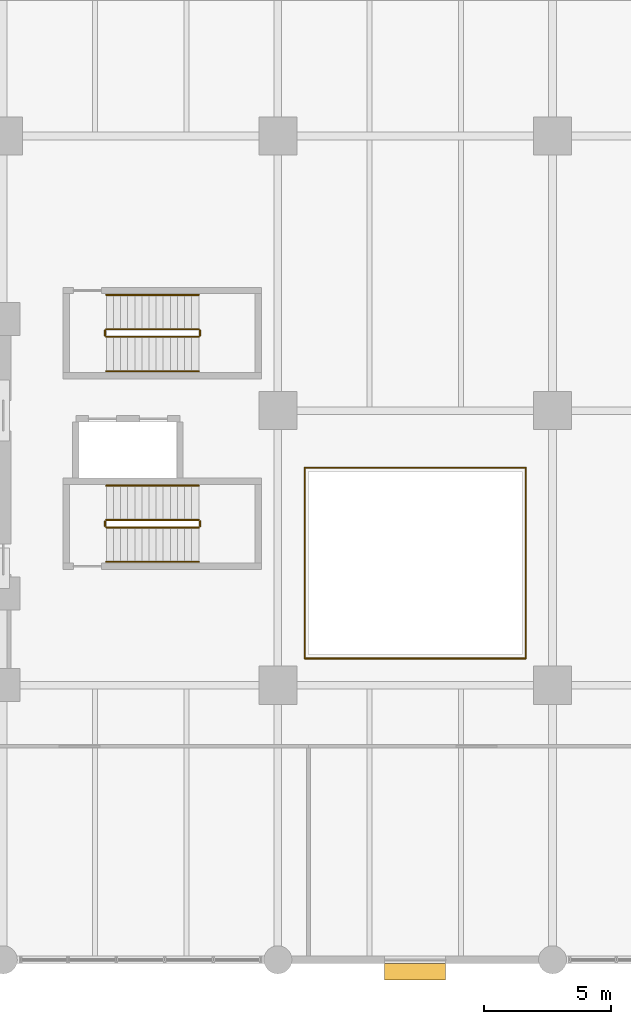
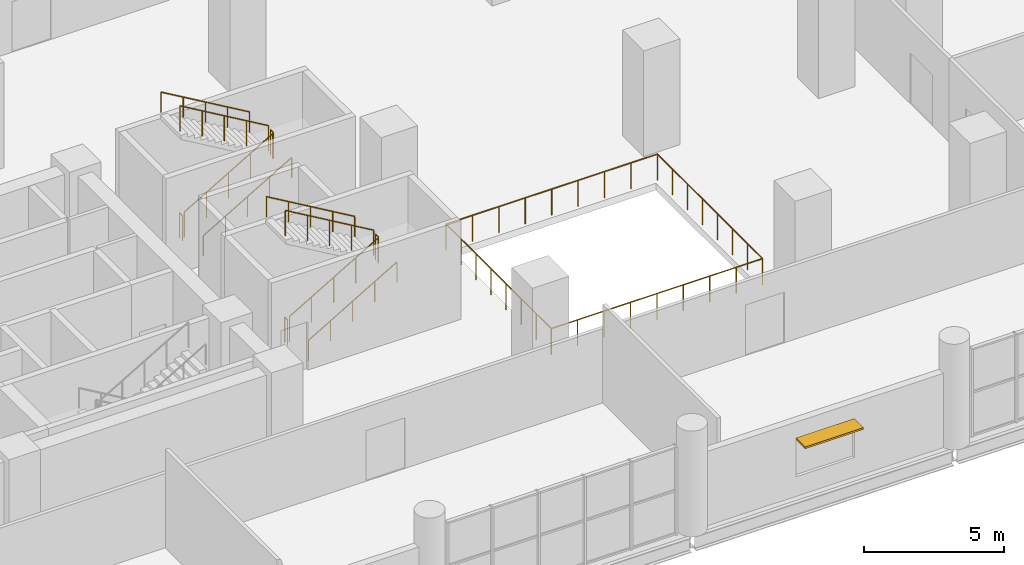
# One storey, part 15 of 16: 16 railings, 1 shading device.
"""IFC4 building model written with IfcOpenShell, lengths in metres."""

from ifc_helpers import new_model, si_unit, direction, frame, origin, origin_2d, place, context, subcontext, project, spatial, rectangle, circle, extrude, material, layer, layer_set, type_object, element, save


model = new_model("IFC4")

# Units and contexts
model_context = context("Model", 3, precision=1e-05, world=origin(), true_north=direction((0.0, 1.0)))
body_context = subcontext(model_context, "Body", "Model", "MODEL_VIEW")
ifc_project = project(units=[si_unit("LENGTHUNIT", "METRE"), si_unit("AREAUNIT", "SQUARE_METRE"), si_unit("VOLUMEUNIT", "CUBIC_METRE"), si_unit("PLANEANGLEUNIT", "RADIAN"), si_unit("MASSUNIT", "GRAM", prefix="KILO")], contexts=[model_context])

# Site, building, storey
site_placement = place(None, origin())
site = spatial("IfcSite", under=ifc_project, at=site_placement, CompositionType="ELEMENT")
building_placement = place(site_placement, origin())
building = spatial("IfcBuilding", under=site, at=building_placement, Name="Solnavia Interchange Tower", CompositionType="ELEMENT")
storey_placement = place(building_placement, frame((0.0, 0.0, 10.199951171875)))
storey = spatial("IfcBuildingStorey", under=building, at=storey_placement, Name="L02", CompositionType="ELEMENT", Elevation=10.199951171875)

# Railings
ifc_material_1 = material(Name="Painted Steel Balustrade", Category="steel")
railing_type_1 = type_object("IfcRailingType", Name="Railing-StairGuard-1100", PredefinedType="GUARDRAIL", material=ifc_material_1)
railing_1_placement = place(storey_placement, frame((36.449951171875, 17.0, 0.164306640625)))
element("IfcRailing", 1, at=railing_1_placement, inside=storey, type_object=railing_type_1, Name="L02 ST-P1 stair guard 1", PredefinedType="GUARDRAIL", context=body_context, shape_type="SweptSolid", body=[
    extrude(circle(Radius=0.02392578125, at=origin_2d()), frame((0.0, 0.0, 1.09619140625), z_axis=(0.862504707072, 0.0, 0.506049039401), x_axis=(0.0, 1.0, 0.0)), (0.0, 0.0, 1.0), 4.220458984375),
    extrude(circle(Radius=0.02099609375, at=origin_2d()), origin(), (0.0, 0.0, 1.0), 1.072021484375),
    extrude(circle(Radius=0.02099609375, at=origin_2d()), frame((0.91015625, 0.0, 0.533935546875)), (0.0, 0.0, 1.0), 1.072021484375),
    extrude(circle(Radius=0.02099609375, at=origin_2d()), frame((1.820068359375, 0.0, 1.06787109375)), (0.0, 0.0, 1.0), 1.072021484375),
    extrude(circle(Radius=0.02099609375, at=origin_2d()), frame((2.72998046875, 0.0, 1.601806640625)), (0.0, 0.0, 1.0), 1.072021484375),
    extrude(circle(Radius=0.02099609375, at=origin_2d()), frame((3.64013671875, 0.0, 2.1357421875)), (0.0, 0.0, 1.0), 1.072021484375),
])
railing_2_placement = place(storey_placement, frame((40.139892578125, 17.050048828125, 2.300048828125)))
element("IfcRailing", 2, at=railing_2_placement, inside=storey, type_object=railing_type_1, Name="L02 ST-P1 stair guard 2", PredefinedType="GUARDRAIL", context=body_context, shape_type="SweptSolid", body=[
    extrude(circle(Radius=0.02392578125, at=origin_2d()), frame((0.0, 0.0, 1.09619140625), z_axis=(0.0, 1.0, 0.0), x_axis=(-1.0, 0.0, 0.0)), (0.0, 0.0, 1.0), 0.199951171875),
    extrude(circle(Radius=0.02099609375, at=origin_2d()), origin(), (0.0, 0.0, 1.0), 1.072021484375),
    extrude(circle(Radius=0.02099609375, at=origin_2d()), frame((0.0, 0.199951171875, 0.0)), (0.0, 0.0, 1.0), 1.072021484375),
])
railing_3_placement = place(storey_placement, frame((40.090087890625, 17.300048828125, 2.46435546875)))
element("IfcRailing", 3, at=railing_3_placement, inside=storey, type_object=railing_type_1, Name="L02 ST-P1 stair guard 3", PredefinedType="GUARDRAIL", context=body_context, shape_type="SweptSolid", body=[
    extrude(circle(Radius=0.02392578125, at=origin_2d()), frame((0.0, 0.0, 1.09619140625), z_axis=(-0.862504707072, 0.0, 0.506049039401), x_axis=(0.0, -1.0, 0.0)), (0.0, 0.0, 1.0), 4.220458984375),
    extrude(circle(Radius=0.02099609375, at=origin_2d()), origin(), (0.0, 0.0, 1.0), 1.072021484375),
    extrude(circle(Radius=0.02099609375, at=origin_2d()), frame((-0.91015625, 0.0, 0.533935546875)), (0.0, 0.0, 1.0), 1.072021484375),
    extrude(circle(Radius=0.02099609375, at=origin_2d()), frame((-1.820068359375, 0.0, 1.06787109375)), (0.0, 0.0, 1.0), 1.072021484375),
    extrude(circle(Radius=0.02099609375, at=origin_2d()), frame((-2.72998046875, 0.0, 1.601806640625)), (0.0, 0.0, 1.0), 1.072021484375),
    extrude(circle(Radius=0.02099609375, at=origin_2d()), frame((-3.64013671875, 0.0, 2.1357421875)), (0.0, 0.0, 1.0), 1.072021484375),
])
railing_4_placement = place(storey_placement, frame((36.39990234375, 17.050048828125, 0.0)))
element("IfcRailing", 4, at=railing_4_placement, inside=storey, type_object=railing_type_1, Name="L02 ST-P1 stair guard 4", PredefinedType="GUARDRAIL", context=body_context, shape_type="SweptSolid", body=[
    extrude(circle(Radius=0.02392578125, at=origin_2d()), frame((0.0, 0.0, 1.09619140625), z_axis=(0.0, 1.0, 0.0), x_axis=(-1.0, 0.0, 0.0)), (0.0, 0.0, 1.0), 0.199951171875),
    extrude(circle(Radius=0.02099609375, at=origin_2d()), origin(), (0.0, 0.0, 1.0), 1.072021484375),
    extrude(circle(Radius=0.02099609375, at=origin_2d()), frame((0.0, 0.199951171875, 0.0)), (0.0, 0.0, 1.0), 1.072021484375),
])
railing_5_placement = place(storey_placement, frame((36.449951171875, 24.5, 0.164306640625)))
element("IfcRailing", 5, at=railing_5_placement, inside=storey, type_object=railing_type_1, Name="L02 ST-P2 stair guard 1", PredefinedType="GUARDRAIL", context=body_context, shape_type="SweptSolid", body=[
    extrude(circle(Radius=0.02392578125, at=origin_2d()), frame((0.0, 0.0, 1.09619140625), z_axis=(0.862504707072, 0.0, 0.506049039401), x_axis=(0.0, 1.0, 0.0)), (0.0, 0.0, 1.0), 4.220458984375),
    extrude(circle(Radius=0.02099609375, at=origin_2d()), origin(), (0.0, 0.0, 1.0), 1.072021484375),
    extrude(circle(Radius=0.02099609375, at=origin_2d()), frame((0.91015625, 0.0, 0.533935546875)), (0.0, 0.0, 1.0), 1.072021484375),
    extrude(circle(Radius=0.02099609375, at=origin_2d()), frame((1.820068359375, 0.0, 1.06787109375)), (0.0, 0.0, 1.0), 1.072021484375),
    extrude(circle(Radius=0.02099609375, at=origin_2d()), frame((2.72998046875, 0.0, 1.601806640625)), (0.0, 0.0, 1.0), 1.072021484375),
    extrude(circle(Radius=0.02099609375, at=origin_2d()), frame((3.64013671875, 0.0, 2.1357421875)), (0.0, 0.0, 1.0), 1.072021484375),
])
railing_6_placement = place(storey_placement, frame((40.139892578125, 24.550048828125, 2.300048828125)))
element("IfcRailing", 6, at=railing_6_placement, inside=storey, type_object=railing_type_1, Name="L02 ST-P2 stair guard 2", PredefinedType="GUARDRAIL", context=body_context, shape_type="SweptSolid", body=[
    extrude(circle(Radius=0.02392578125, at=origin_2d()), frame((0.0, 0.0, 1.09619140625), z_axis=(0.0, 1.0, 0.0), x_axis=(-1.0, 0.0, 0.0)), (0.0, 0.0, 1.0), 0.199951171875),
    extrude(circle(Radius=0.02099609375, at=origin_2d()), origin(), (0.0, 0.0, 1.0), 1.072021484375),
    extrude(circle(Radius=0.02099609375, at=origin_2d()), frame((0.0, 0.199951171875, 0.0)), (0.0, 0.0, 1.0), 1.072021484375),
])
railing_7_placement = place(storey_placement, frame((40.090087890625, 24.800048828125, 2.46435546875)))
element("IfcRailing", 7, at=railing_7_placement, inside=storey, type_object=railing_type_1, Name="L02 ST-P2 stair guard 3", PredefinedType="GUARDRAIL", context=body_context, shape_type="SweptSolid", body=[
    extrude(circle(Radius=0.02392578125, at=origin_2d()), frame((0.0, 0.0, 1.09619140625), z_axis=(-0.862504707072, 0.0, 0.506049039401), x_axis=(0.0, -1.0, 0.0)), (0.0, 0.0, 1.0), 4.220458984375),
    extrude(circle(Radius=0.02099609375, at=origin_2d()), origin(), (0.0, 0.0, 1.0), 1.072021484375),
    extrude(circle(Radius=0.02099609375, at=origin_2d()), frame((-0.91015625, 0.0, 0.533935546875)), (0.0, 0.0, 1.0), 1.072021484375),
    extrude(circle(Radius=0.02099609375, at=origin_2d()), frame((-1.820068359375, 0.0, 1.06787109375)), (0.0, 0.0, 1.0), 1.072021484375),
    extrude(circle(Radius=0.02099609375, at=origin_2d()), frame((-2.72998046875, 0.0, 1.601806640625)), (0.0, 0.0, 1.0), 1.072021484375),
    extrude(circle(Radius=0.02099609375, at=origin_2d()), frame((-3.64013671875, 0.0, 2.1357421875)), (0.0, 0.0, 1.0), 1.072021484375),
])
railing_8_placement = place(storey_placement, frame((36.39990234375, 24.550048828125, 0.0)))
element("IfcRailing", 8, at=railing_8_placement, inside=storey, type_object=railing_type_1, Name="L02 ST-P2 stair guard 4", PredefinedType="GUARDRAIL", context=body_context, shape_type="SweptSolid", body=[
    extrude(circle(Radius=0.02392578125, at=origin_2d()), frame((0.0, 0.0, 1.09619140625), z_axis=(0.0, 1.0, 0.0), x_axis=(-1.0, 0.0, 0.0)), (0.0, 0.0, 1.0), 0.199951171875),
    extrude(circle(Radius=0.02099609375, at=origin_2d()), origin(), (0.0, 0.0, 1.0), 1.072021484375),
    extrude(circle(Radius=0.02099609375, at=origin_2d()), frame((0.0, 0.199951171875, 0.0)), (0.0, 0.0, 1.0), 1.072021484375),
])
ifc_material_2 = material(Name="Brushed Stainless Steel", Category="steel")
railing_type_2 = type_object("IfcRailingType", Name="Railing-StairHandrail-900", PredefinedType="HANDRAIL", material=ifc_material_2)
railing_9_placement = place(storey_placement, frame((36.449951171875, 15.64990234375, 0.164306640625)))
element("IfcRailing", 9, at=railing_9_placement, inside=storey, type_object=railing_type_2, Name="L02 ST-P1 stair handrail 1", PredefinedType="HANDRAIL", context=body_context, shape_type="SweptSolid", body=[
    extrude(circle(Radius=0.02392578125, at=origin_2d()), frame((0.0, 0.0, 0.8759765625), z_axis=(0.862504707072, 0.0, 0.506049039401), x_axis=(0.0, 1.0, 0.0)), (0.0, 0.0, 1.0), 4.220458984375),
    extrude(circle(Radius=0.02099609375, at=origin_2d()), origin(), (0.0, 0.0, 1.0), 0.851806640625),
    extrude(circle(Radius=0.02099609375, at=origin_2d()), frame((0.91015625, 0.0, 0.533935546875)), (0.0, 0.0, 1.0), 0.851806640625),
    extrude(circle(Radius=0.02099609375, at=origin_2d()), frame((1.820068359375, 0.0, 1.06787109375)), (0.0, 0.0, 1.0), 0.851806640625),
    extrude(circle(Radius=0.02099609375, at=origin_2d()), frame((2.72998046875, 0.0, 1.601806640625)), (0.0, 0.0, 1.0), 0.851806640625),
    extrude(circle(Radius=0.02099609375, at=origin_2d()), frame((3.64013671875, 0.0, 2.1357421875)), (0.0, 0.0, 1.0), 0.851806640625),
])
railing_10_placement = place(storey_placement, frame((40.090087890625, 18.64990234375, 2.46435546875)))
element("IfcRailing", 10, at=railing_10_placement, inside=storey, type_object=railing_type_2, Name="L02 ST-P1 stair handrail 2", PredefinedType="HANDRAIL", context=body_context, shape_type="SweptSolid", body=[
    extrude(circle(Radius=0.02392578125, at=origin_2d()), frame((0.0, 0.0, 0.8759765625), z_axis=(-0.862504707072, 0.0, 0.506049039401), x_axis=(0.0, -1.0, 0.0)), (0.0, 0.0, 1.0), 4.220458984375),
    extrude(circle(Radius=0.02099609375, at=origin_2d()), origin(), (0.0, 0.0, 1.0), 0.851806640625),
    extrude(circle(Radius=0.02099609375, at=origin_2d()), frame((-0.91015625, 0.0, 0.533935546875)), (0.0, 0.0, 1.0), 0.851806640625),
    extrude(circle(Radius=0.02099609375, at=origin_2d()), frame((-1.820068359375, 0.0, 1.06787109375)), (0.0, 0.0, 1.0), 0.851806640625),
    extrude(circle(Radius=0.02099609375, at=origin_2d()), frame((-2.72998046875, 0.0, 1.601806640625)), (0.0, 0.0, 1.0), 0.851806640625),
    extrude(circle(Radius=0.02099609375, at=origin_2d()), frame((-3.64013671875, 0.0, 2.1357421875)), (0.0, 0.0, 1.0), 0.851806640625),
])
railing_11_placement = place(storey_placement, frame((36.449951171875, 23.14990234375, 0.164306640625)))
element("IfcRailing", 11, at=railing_11_placement, inside=storey, type_object=railing_type_2, Name="L02 ST-P2 stair handrail 1", PredefinedType="HANDRAIL", context=body_context, shape_type="SweptSolid", body=[
    extrude(circle(Radius=0.02392578125, at=origin_2d()), frame((0.0, 0.0, 0.8759765625), z_axis=(0.862504707072, 0.0, 0.506049039401), x_axis=(0.0, 1.0, 0.0)), (0.0, 0.0, 1.0), 4.220458984375),
    extrude(circle(Radius=0.02099609375, at=origin_2d()), origin(), (0.0, 0.0, 1.0), 0.851806640625),
    extrude(circle(Radius=0.02099609375, at=origin_2d()), frame((0.91015625, 0.0, 0.533935546875)), (0.0, 0.0, 1.0), 0.851806640625),
    extrude(circle(Radius=0.02099609375, at=origin_2d()), frame((1.820068359375, 0.0, 1.06787109375)), (0.0, 0.0, 1.0), 0.851806640625),
    extrude(circle(Radius=0.02099609375, at=origin_2d()), frame((2.72998046875, 0.0, 1.601806640625)), (0.0, 0.0, 1.0), 0.851806640625),
    extrude(circle(Radius=0.02099609375, at=origin_2d()), frame((3.64013671875, 0.0, 2.1357421875)), (0.0, 0.0, 1.0), 0.851806640625),
])
railing_12_placement = place(storey_placement, frame((40.090087890625, 26.14990234375, 2.46435546875)))
element("IfcRailing", 12, at=railing_12_placement, inside=storey, type_object=railing_type_2, Name="L02 ST-P2 stair handrail 2", PredefinedType="HANDRAIL", context=body_context, shape_type="SweptSolid", body=[
    extrude(circle(Radius=0.02392578125, at=origin_2d()), frame((0.0, 0.0, 0.8759765625), z_axis=(-0.862504707072, 0.0, 0.506049039401), x_axis=(0.0, -1.0, 0.0)), (0.0, 0.0, 1.0), 4.220458984375),
    extrude(circle(Radius=0.02099609375, at=origin_2d()), origin(), (0.0, 0.0, 1.0), 0.851806640625),
    extrude(circle(Radius=0.02099609375, at=origin_2d()), frame((-0.91015625, 0.0, 0.533935546875)), (0.0, 0.0, 1.0), 0.851806640625),
    extrude(circle(Radius=0.02099609375, at=origin_2d()), frame((-1.820068359375, 0.0, 1.06787109375)), (0.0, 0.0, 1.0), 0.851806640625),
    extrude(circle(Radius=0.02099609375, at=origin_2d()), frame((-2.72998046875, 0.0, 1.601806640625)), (0.0, 0.0, 1.0), 0.851806640625),
    extrude(circle(Radius=0.02099609375, at=origin_2d()), frame((-3.64013671875, 0.0, 2.1357421875)), (0.0, 0.0, 1.0), 0.851806640625),
])
ifc_material_3 = material(Name="Laminated Safety Glass & Stainless Steel", Category="steel")
railing_type_3 = type_object("IfcRailingType", Name="Railing-TerraceGuard-1150", PredefinedType="GUARDRAIL", material=ifc_material_3)
railing_13_placement = place(storey_placement, frame((44.25, 11.85009765625, 0.0)))
element("IfcRailing", 13, at=railing_13_placement, inside=storey, type_object=railing_type_3, Name="GRD-L02-ATR-01 Perimeter terrace guardrail", PredefinedType="GUARDRAIL", context=body_context, shape_type="SweptSolid", body=[
    extrude(circle(Radius=0.02392578125, at=origin_2d()), frame((0.0, 0.0, 1.1259765625), z_axis=(1.0, 0.0, 0.0), x_axis=(0.0, 1.0, 0.0)), (0.0, 0.0, 1.0), 8.699951171875),
    extrude(circle(Radius=0.02099609375, at=origin_2d()), origin(), (0.0, 0.0, 1.0), 1.101806640625),
    extrude(circle(Radius=0.02099609375, at=origin_2d()), frame((1.08740234375, 0.0, 0.0)), (0.0, 0.0, 1.0), 1.101806640625),
    extrude(circle(Radius=0.02099609375, at=origin_2d()), frame((2.175048828125, 0.0, 0.0)), (0.0, 0.0, 1.0), 1.101806640625),
    extrude(circle(Radius=0.02099609375, at=origin_2d()), frame((3.262451171875, 0.0, 0.0)), (0.0, 0.0, 1.0), 1.101806640625),
    extrude(circle(Radius=0.02099609375, at=origin_2d()), frame((4.35009765625, 0.0, 0.0)), (0.0, 0.0, 1.0), 1.101806640625),
    extrude(circle(Radius=0.02099609375, at=origin_2d()), frame((5.4375, 0.0, 0.0)), (0.0, 0.0, 1.0), 1.101806640625),
    extrude(circle(Radius=0.02099609375, at=origin_2d()), frame((6.52490234375, 0.0, 0.0)), (0.0, 0.0, 1.0), 1.101806640625),
    extrude(circle(Radius=0.02099609375, at=origin_2d()), frame((7.612548828125, 0.0, 0.0)), (0.0, 0.0, 1.0), 1.101806640625),
    extrude(circle(Radius=0.02099609375, at=origin_2d()), frame((8.699951171875, 0.0, 0.0)), (0.0, 0.0, 1.0), 1.101806640625),
])
railing_14_placement = place(storey_placement, frame((52.949951171875, 11.85009765625, 0.0)))
element("IfcRailing", 14, at=railing_14_placement, inside=storey, type_object=railing_type_3, Name="GRD-L02-ATR-02 Perimeter terrace guardrail", PredefinedType="GUARDRAIL", context=body_context, shape_type="SweptSolid", body=[
    extrude(circle(Radius=0.02392578125, at=origin_2d()), frame((0.0, 0.0, 1.1259765625), z_axis=(0.0, 1.0, 0.0), x_axis=(-1.0, 0.0, 0.0)), (0.0, 0.0, 1.0), 7.5),
    extrude(circle(Radius=0.02099609375, at=origin_2d()), origin(), (0.0, 0.0, 1.0), 1.101806640625),
    extrude(circle(Radius=0.02099609375, at=origin_2d()), frame((0.0, 1.071533203125, 0.0)), (0.0, 0.0, 1.0), 1.101806640625),
    extrude(circle(Radius=0.02099609375, at=origin_2d()), frame((0.0, 2.142822265625, 0.0)), (0.0, 0.0, 1.0), 1.101806640625),
    extrude(circle(Radius=0.02099609375, at=origin_2d()), frame((0.0, 3.21435546875, 0.0)), (0.0, 0.0, 1.0), 1.101806640625),
    extrude(circle(Radius=0.02099609375, at=origin_2d()), frame((0.0, 4.28564453125, 0.0)), (0.0, 0.0, 1.0), 1.101806640625),
    extrude(circle(Radius=0.02099609375, at=origin_2d()), frame((0.0, 5.357177734375, 0.0)), (0.0, 0.0, 1.0), 1.101806640625),
    extrude(circle(Radius=0.02099609375, at=origin_2d()), frame((0.0, 6.428466796875, 0.0)), (0.0, 0.0, 1.0), 1.101806640625),
    extrude(circle(Radius=0.02099609375, at=origin_2d()), frame((0.0, 7.5, 0.0)), (0.0, 0.0, 1.0), 1.101806640625),
])
railing_15_placement = place(storey_placement, frame((52.949951171875, 19.35009765625, 0.0)))
element("IfcRailing", 15, at=railing_15_placement, inside=storey, type_object=railing_type_3, Name="GRD-L02-ATR-03 Perimeter terrace guardrail", PredefinedType="GUARDRAIL", context=body_context, shape_type="SweptSolid", body=[
    extrude(circle(Radius=0.02392578125, at=origin_2d()), frame((0.0, 0.0, 1.1259765625), z_axis=(-1.0, 0.0, 0.0), x_axis=(0.0, -1.0, 0.0)), (0.0, 0.0, 1.0), 8.699951171875),
    extrude(circle(Radius=0.02099609375, at=origin_2d()), origin(), (0.0, 0.0, 1.0), 1.101806640625),
    extrude(circle(Radius=0.02099609375, at=origin_2d()), frame((-1.08740234375, 0.0, 0.0)), (0.0, 0.0, 1.0), 1.101806640625),
    extrude(circle(Radius=0.02099609375, at=origin_2d()), frame((-2.175048828125, 0.0, 0.0)), (0.0, 0.0, 1.0), 1.101806640625),
    extrude(circle(Radius=0.02099609375, at=origin_2d()), frame((-3.262451171875, 0.0, 0.0)), (0.0, 0.0, 1.0), 1.101806640625),
    extrude(circle(Radius=0.02099609375, at=origin_2d()), frame((-4.35009765625, 0.0, 0.0)), (0.0, 0.0, 1.0), 1.101806640625),
    extrude(circle(Radius=0.02099609375, at=origin_2d()), frame((-5.4375, 0.0, 0.0)), (0.0, 0.0, 1.0), 1.101806640625),
    extrude(circle(Radius=0.02099609375, at=origin_2d()), frame((-6.52490234375, 0.0, 0.0)), (0.0, 0.0, 1.0), 1.101806640625),
    extrude(circle(Radius=0.02099609375, at=origin_2d()), frame((-7.612548828125, 0.0, 0.0)), (0.0, 0.0, 1.0), 1.101806640625),
    extrude(circle(Radius=0.02099609375, at=origin_2d()), frame((-8.699951171875, 0.0, 0.0)), (0.0, 0.0, 1.0), 1.101806640625),
])
railing_16_placement = place(storey_placement, frame((44.25, 19.35009765625, 0.0)))
element("IfcRailing", 16, at=railing_16_placement, inside=storey, type_object=railing_type_3, Name="GRD-L02-ATR-04 Perimeter terrace guardrail", PredefinedType="GUARDRAIL", context=body_context, shape_type="SweptSolid", body=[
    extrude(circle(Radius=0.02392578125, at=origin_2d()), frame((0.0, 0.0, 1.1259765625), z_axis=(0.0, -1.0, 0.0), x_axis=(1.0, 0.0, 0.0)), (0.0, 0.0, 1.0), 7.5),
    extrude(circle(Radius=0.02099609375, at=origin_2d()), origin(), (0.0, 0.0, 1.0), 1.101806640625),
    extrude(circle(Radius=0.02099609375, at=origin_2d()), frame((0.0, -1.071533203125, 0.0)), (0.0, 0.0, 1.0), 1.101806640625),
    extrude(circle(Radius=0.02099609375, at=origin_2d()), frame((0.0, -2.142822265625, 0.0)), (0.0, 0.0, 1.0), 1.101806640625),
    extrude(circle(Radius=0.02099609375, at=origin_2d()), frame((0.0, -3.21435546875, 0.0)), (0.0, 0.0, 1.0), 1.101806640625),
    extrude(circle(Radius=0.02099609375, at=origin_2d()), frame((0.0, -4.28564453125, 0.0)), (0.0, 0.0, 1.0), 1.101806640625),
    extrude(circle(Radius=0.02099609375, at=origin_2d()), frame((0.0, -5.357177734375, 0.0)), (0.0, 0.0, 1.0), 1.101806640625),
    extrude(circle(Radius=0.02099609375, at=origin_2d()), frame((0.0, -6.428466796875, 0.0)), (0.0, 0.0, 1.0), 1.101806640625),
    extrude(circle(Radius=0.02099609375, at=origin_2d()), frame((0.0, -7.5, 0.0)), (0.0, 0.0, 1.0), 1.101806640625),
])

# Shading device
ifc_material_4 = material(Name="Anodised Aluminium Sunshade", Category="aluminium")
ifc_layer = layer(ifc_material_4, 0.080078125)
ifc_layer_set = layer_set([ifc_layer], Name="Anodised Aluminium Sunshade")
shading_device_type = type_object("IfcShadingDeviceType", Name="Sunshade-Band-650", PredefinedType="SHUTTER", material=ifc_layer_set)
shading_device_placement = place(storey_placement, frame((48.60009765625, -0.469970703125, 2.4599609375), z_axis=(0.0, 0.0, 1.0), x_axis=(1.0, 0.0, 0.0)))
element("IfcShadingDevice", 17, at=shading_device_placement, inside=storey, type_object=shading_device_type, Name="SHD-L02-S05 South horizontal sunshade band", PredefinedType="SHUTTER", context=body_context, shape_type="SweptSolid", body=[
    extrude(rectangle(XDim=2.39990234375, YDim=0.64990234375, at=origin_2d()), origin(), (0.0, 0.0, 1.0), 0.080078125),
])

save(model, "model.ifc")
